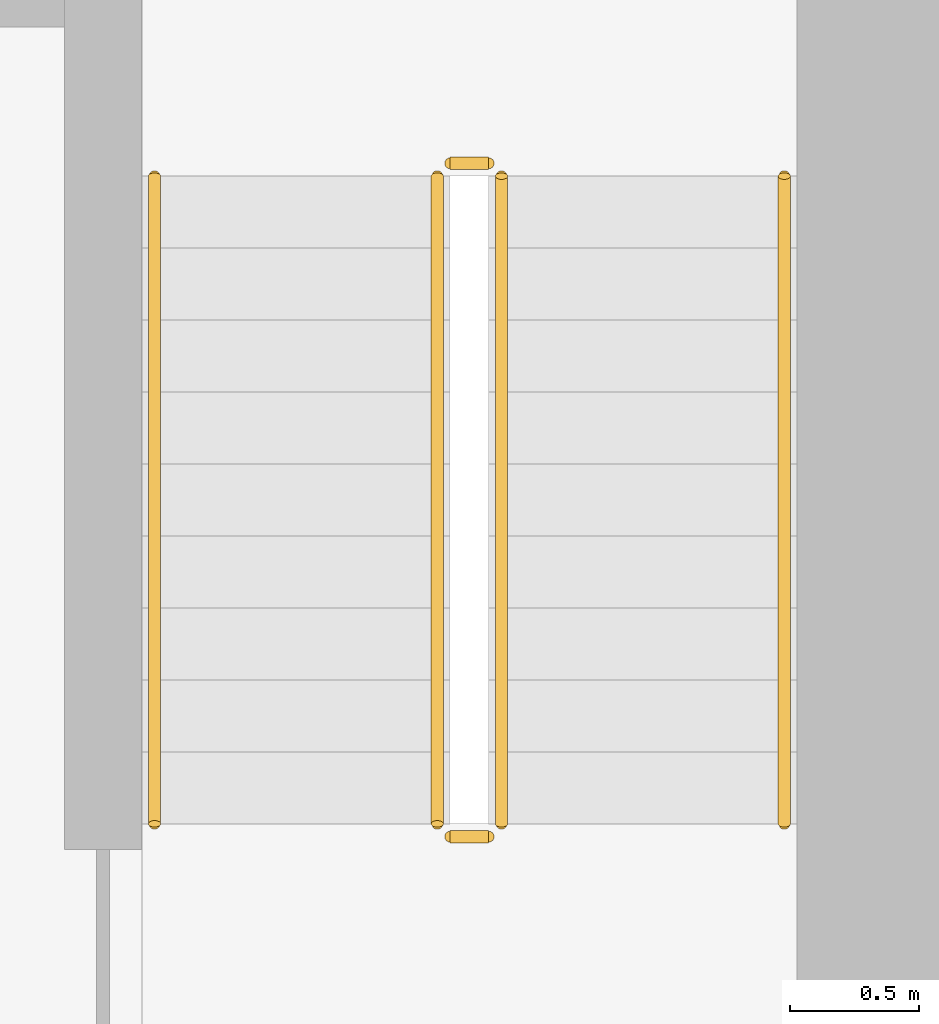
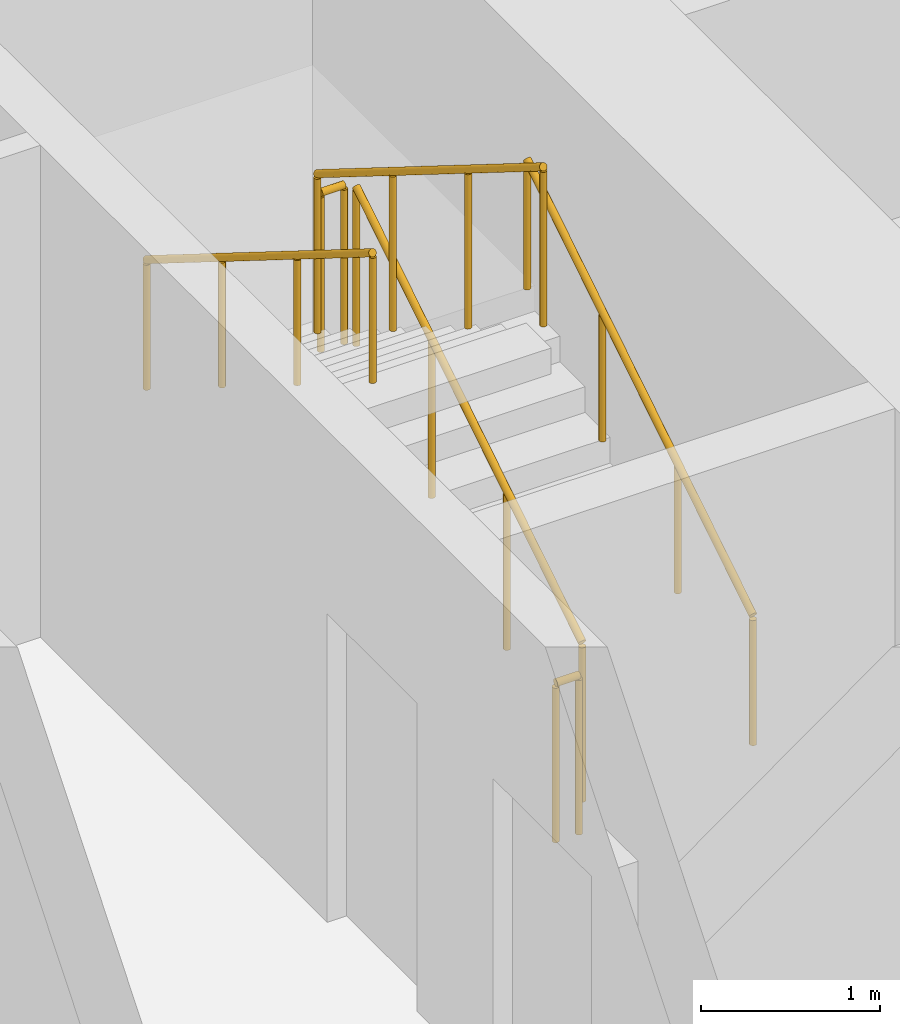
# One storey, part 10 of 10: 6 railings.
"""IFC4 building model written with IfcOpenShell, lengths in metres."""

from ifc_helpers import new_model, si_unit, direction, frame, origin, origin_2d, place, context, subcontext, project, spatial, circle, extrude, material, type_object, element, save


model = new_model("IFC4")

# Units and contexts
model_context = context("Model", 3, precision=1e-05, world=origin(), true_north=direction((0.0, 1.0)))
body_context = subcontext(model_context, "Body", "Model", "MODEL_VIEW")
ifc_project = project(units=[si_unit("LENGTHUNIT", "METRE"), si_unit("AREAUNIT", "SQUARE_METRE"), si_unit("VOLUMEUNIT", "CUBIC_METRE"), si_unit("PLANEANGLEUNIT", "RADIAN"), si_unit("MASSUNIT", "GRAM", prefix="KILO")], contexts=[model_context])

# Site, building, storey
site_placement = place(None, origin())
site = spatial("IfcSite", under=ifc_project, at=site_placement, CompositionType="ELEMENT")
building_placement = place(site_placement, origin())
building = spatial("IfcBuilding", under=site, at=building_placement, Name="Aloe Facet Convention Tower", CompositionType="ELEMENT")
storey_placement = place(building_placement, frame((0.0, 0.0, 45.5)))
storey = spatial("IfcBuildingStorey", under=building, at=storey_placement, Name="L09", CompositionType="ELEMENT", Elevation=45.5)

# Railings
ifc_material_1 = material(Name="Steel S355 balustrade", Category="steel")
railing_type_1 = type_object("IfcRailingType", Name="CR-RL-GUARD", PredefinedType="GUARDRAIL", material=ifc_material_1)
railing_1_placement = place(storey_placement, frame((89.25, 128.949951171875, 0.175048828125)))
element("IfcRailing", 1, at=railing_1_placement, inside=storey, type_object=railing_type_1, Name="L09 ST2 stair guard 1", PredefinedType="GUARDRAIL", context=body_context, shape_type="SweptSolid", body=[
    extrude(circle(Radius=0.02392578125, at=origin_2d()), frame((0.0, 0.0, 1.076171875), z_axis=(0.0, 0.848007534815, 0.529984170421), x_axis=(-1.0, 0.0, 0.0)), (0.0, 0.0, 1.0), 2.9716796875),
    extrude(circle(Radius=0.02099609375, at=origin_2d()), origin(), (0.0, 0.0, 1.0), 1.052001953125),
    extrude(circle(Radius=0.02099609375, at=origin_2d()), frame((0.0, 0.840087890625, 0.52490234375)), (0.0, 0.0, 1.0), 1.052001953125),
    extrude(circle(Radius=0.02099609375, at=origin_2d()), frame((0.0, 1.679931640625, 1.050048828125)), (0.0, 0.0, 1.0), 1.052001953125),
    extrude(circle(Radius=0.02099609375, at=origin_2d()), frame((0.0, 2.52001953125, 1.574951171875)), (0.0, 0.0, 1.0), 1.052001953125),
])
railing_2_placement = place(storey_placement, frame((89.199951171875, 131.52001953125, 1.75)))
element("IfcRailing", 2, at=railing_2_placement, inside=storey, type_object=railing_type_1, Name="L09 ST2 stair guard 2", PredefinedType="GUARDRAIL", context=body_context, shape_type="SweptSolid", body=[
    extrude(circle(Radius=0.02392578125, at=origin_2d()), frame((0.0, 0.0, 1.076171875), z_axis=(-1.0, 0.0, 0.0), x_axis=(0.0, -1.0, 0.0)), (0.0, 0.0, 1.0), 0.14990234375),
    extrude(circle(Radius=0.02099609375, at=origin_2d()), origin(), (0.0, 0.0, 1.0), 1.052001953125),
    extrude(circle(Radius=0.02099609375, at=origin_2d()), frame((-0.14990234375, 0.0, 0.0)), (0.0, 0.0, 1.0), 1.052001953125),
])
railing_3_placement = place(storey_placement, frame((89.0, 131.469970703125, 1.925048828125)))
element("IfcRailing", 3, at=railing_3_placement, inside=storey, type_object=railing_type_1, Name="L09 ST2 stair guard 3", PredefinedType="GUARDRAIL", context=body_context, shape_type="SweptSolid", body=[
    extrude(circle(Radius=0.02392578125, at=origin_2d()), frame((0.0, 0.0, 1.076171875), z_axis=(0.0, -0.848007534815, 0.529984170421), x_axis=(1.0, 0.0, 0.0)), (0.0, 0.0, 1.0), 2.9716796875),
    extrude(circle(Radius=0.02099609375, at=origin_2d()), origin(), (0.0, 0.0, 1.0), 1.052001953125),
    extrude(circle(Radius=0.02099609375, at=origin_2d()), frame((0.0, -0.840087890625, 0.52490234375)), (0.0, 0.0, 1.0), 1.052001953125),
    extrude(circle(Radius=0.02099609375, at=origin_2d()), frame((0.0, -1.679931640625, 1.050048828125)), (0.0, 0.0, 1.0), 1.052001953125),
    extrude(circle(Radius=0.02099609375, at=origin_2d()), frame((0.0, -2.52001953125, 1.574951171875)), (0.0, 0.0, 1.0), 1.052001953125),
])
railing_4_placement = place(storey_placement, frame((89.199951171875, 128.89990234375, 0.0)))
element("IfcRailing", 4, at=railing_4_placement, inside=storey, type_object=railing_type_1, Name="L09 ST2 stair guard 4", PredefinedType="GUARDRAIL", context=body_context, shape_type="SweptSolid", body=[
    extrude(circle(Radius=0.02392578125, at=origin_2d()), frame((0.0, 0.0, 1.076171875), z_axis=(-1.0, 0.0, 0.0), x_axis=(0.0, -1.0, 0.0)), (0.0, 0.0, 1.0), 0.14990234375),
    extrude(circle(Radius=0.02099609375, at=origin_2d()), origin(), (0.0, 0.0, 1.0), 1.052001953125),
    extrude(circle(Radius=0.02099609375, at=origin_2d()), frame((-0.14990234375, 0.0, 0.0)), (0.0, 0.0, 1.0), 1.052001953125),
])
ifc_material_2 = material(Name="Steel S355 handrail", Category="steel")
railing_type_2 = type_object("IfcRailingType", Name="CR-RL-HAND", PredefinedType="HANDRAIL", material=ifc_material_2)
railing_5_placement = place(storey_placement, frame((90.35009765625, 128.949951171875, 0.175048828125)))
element("IfcRailing", 5, at=railing_5_placement, inside=storey, type_object=railing_type_2, Name="L09 ST2 stair handrail 1", PredefinedType="HANDRAIL", context=body_context, shape_type="SweptSolid", body=[
    extrude(circle(Radius=0.02392578125, at=origin_2d()), frame((0.0, 0.0, 0.8759765625), z_axis=(0.0, 0.848007534815, 0.529984170421), x_axis=(-1.0, 0.0, 0.0)), (0.0, 0.0, 1.0), 2.9716796875),
    extrude(circle(Radius=0.02099609375, at=origin_2d()), origin(), (0.0, 0.0, 1.0), 0.851806640625),
    extrude(circle(Radius=0.02099609375, at=origin_2d()), frame((0.0, 0.840087890625, 0.52490234375)), (0.0, 0.0, 1.0), 0.851806640625),
    extrude(circle(Radius=0.02099609375, at=origin_2d()), frame((0.0, 1.679931640625, 1.050048828125)), (0.0, 0.0, 1.0), 0.851806640625),
    extrude(circle(Radius=0.02099609375, at=origin_2d()), frame((0.0, 2.52001953125, 1.574951171875)), (0.0, 0.0, 1.0), 0.851806640625),
])
railing_6_placement = place(storey_placement, frame((87.89990234375, 131.469970703125, 1.925048828125)))
element("IfcRailing", 6, at=railing_6_placement, inside=storey, type_object=railing_type_2, Name="L09 ST2 stair handrail 2", PredefinedType="HANDRAIL", context=body_context, shape_type="SweptSolid", body=[
    extrude(circle(Radius=0.02392578125, at=origin_2d()), frame((0.0, 0.0, 0.8759765625), z_axis=(0.0, -0.848007534815, 0.529984170421), x_axis=(1.0, 0.0, 0.0)), (0.0, 0.0, 1.0), 2.9716796875),
    extrude(circle(Radius=0.02099609375, at=origin_2d()), origin(), (0.0, 0.0, 1.0), 0.851806640625),
    extrude(circle(Radius=0.02099609375, at=origin_2d()), frame((0.0, -0.840087890625, 0.52490234375)), (0.0, 0.0, 1.0), 0.851806640625),
    extrude(circle(Radius=0.02099609375, at=origin_2d()), frame((0.0, -1.679931640625, 1.050048828125)), (0.0, 0.0, 1.0), 0.851806640625),
    extrude(circle(Radius=0.02099609375, at=origin_2d()), frame((0.0, -2.52001953125, 1.574951171875)), (0.0, 0.0, 1.0), 0.851806640625),
])

save(model, "model.ifc")
